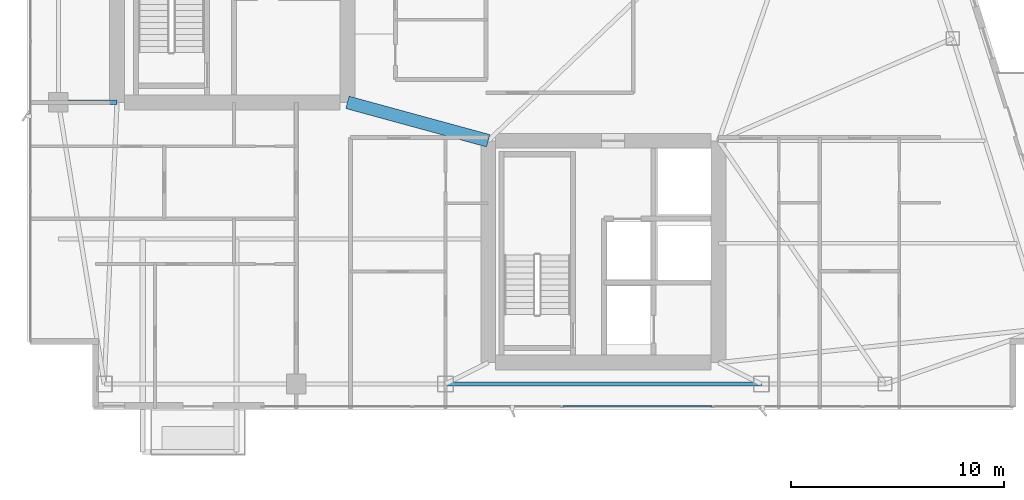
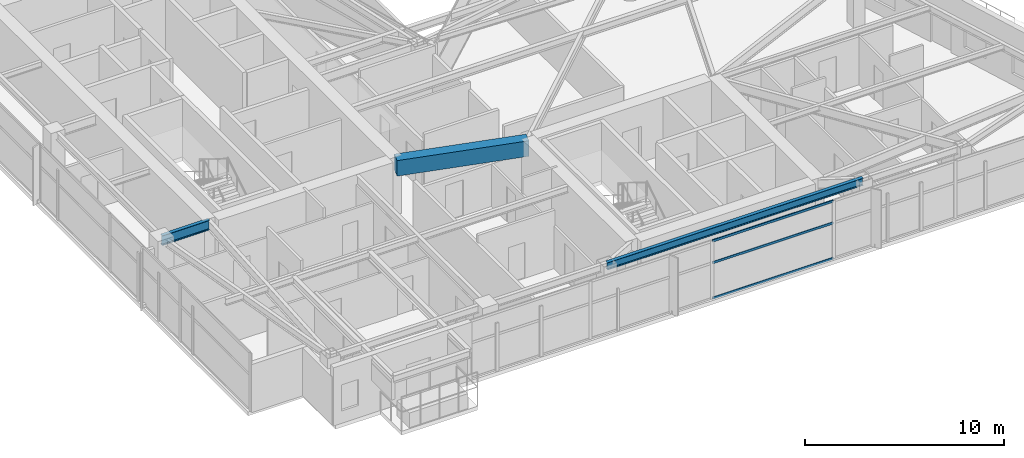
# One storey, part 7 of 27: 3 beams, 3 members, 1 element without a shape of its own.
"""IFC4 building model written with IfcOpenShell, lengths in metres."""

from ifc_helpers import new_model, si_unit, direction, frame, origin, origin_2d, place, context, subcontext, project, spatial, rectangle, hollow_rectangle, i_section, extrude, material, layer, layer_set, material_profile, profile_set, type_object, element, aggregate, save


model = new_model("IFC4")

# Units and contexts
model_context = context("Model", 3, precision=1e-05, world=origin(), true_north=direction((0.0, 1.0)))
body_context = subcontext(model_context, "Body", "Model", "MODEL_VIEW")
ifc_project = project(units=[si_unit("LENGTHUNIT", "METRE"), si_unit("AREAUNIT", "SQUARE_METRE"), si_unit("VOLUMEUNIT", "CUBIC_METRE"), si_unit("PLANEANGLEUNIT", "RADIAN"), si_unit("MASSUNIT", "GRAM", prefix="KILO")], contexts=[model_context])

# Site, building, storey
site_placement = place(None, origin())
site = spatial("IfcSite", under=ifc_project, at=site_placement, CompositionType="ELEMENT")
building_placement = place(site_placement, origin())
building = spatial("IfcBuilding", under=site, at=building_placement, Name="Calvorn Quay Hotel", CompositionType="ELEMENT")
storey_placement = place(building_placement, frame((0.0, 0.0, 226.89990234375)))
storey = spatial("IfcBuildingStorey", under=building, at=storey_placement, Name="L56", CompositionType="ELEMENT", Elevation=226.89990234375)

# Beams
ifc_material_1 = material(Name="Steel Q355B", Category="steel")
ifc_material_profile_1 = material_profile(ifc_material_1, i_section(OverallWidth=0.199951171875, OverallDepth=0.60009765625, WebThickness=0.010986328125, FlangeThickness=0.01708984375, FilletRadius=0.01806640625, at=origin_2d()), Name="HN600x200x11x17")
ifc_profile_set_1 = profile_set([ifc_material_profile_1], Name="Steel Q355B")
beam_type_1 = type_object("IfcBeamType", Name="BM-GIRD-TYP", PredefinedType="BEAM", material=ifc_profile_set_1)
beam_1_placement = place(storey_placement, frame((1.449951171875, 16.800048828125, 3.239990234375), z_axis=(1.0, 0.0, 0.0), x_axis=(0.0, 1.0, 0.0)))
element("IfcBeam", 1, at=beam_1_placement, inside=storey, type_object=beam_type_1, Name="Beam BG-L56-W1", PredefinedType="BEAM", context=body_context, shape_type="SweptSolid", body=[
    extrude(i_section(OverallWidth=0.199951171875, OverallDepth=0.60009765625, WebThickness=0.010986328125, FlangeThickness=0.01708984375, FilletRadius=0.01806640625, at=origin_2d()), origin(), (0.0, 0.0, 1.0), 2.75),
])
ifc_material_2 = material(Name="Concrete C45", Category="concrete")
ifc_material_profile_2 = material_profile(ifc_material_2, rectangle(XDim=0.60009765625, YDim=0.949951171875, at=origin_2d()), Name="RCB600x950")
ifc_profile_set_2 = profile_set([ifc_material_profile_2], Name="Concrete C45")
beam_type_2 = type_object("IfcBeamType", Name="BM-RC-LINK-600x950", PredefinedType="BEAM", material=ifc_profile_set_2)
beam_2_placement = place(storey_placement, frame((15.0, 16.800048828125, 3.065185546875), z_axis=(0.964762997686, -0.263120425462, 0.0), x_axis=(0.263120425462, 0.964762997686, 0.0)))
element("IfcBeam", 2, at=beam_2_placement, inside=storey, type_object=beam_type_2, Name="Beam BCL-L56-01", PredefinedType="BEAM", context=body_context, shape_type="SweptSolid", body=[
    extrude(rectangle(XDim=0.60009765625, YDim=0.949951171875, at=origin_2d()), origin(), (0.0, 0.0, 1.0), 6.841064453125),
])
ifc_material_3 = material(Name="Steel Q355B", Category="steel")
ifc_material_profile_3 = material_profile(ifc_material_3, i_section(OverallWidth=0.199951171875, OverallDepth=0.449951171875, WebThickness=0.009033203125, FlangeThickness=0.013916015625, FilletRadius=0.01611328125, at=origin_2d()), Name="HN450x200x9x14")
ifc_profile_set_3 = profile_set([ifc_material_profile_3], Name="Steel Q355B")
beam_type_3 = type_object("IfcBeamType", Name="BM-SPANDREL-Z3", PredefinedType="SPANDREL", material=ifc_profile_set_3)
beam_3_placement = place(storey_placement, frame((19.60009765625, 3.60009765625, 3.315185546875), z_axis=(1.0, 0.0, 0.0), x_axis=(0.0, 1.0, 0.0)))
element("IfcBeam", 3, at=beam_3_placement, inside=storey, type_object=beam_type_3, Name="Beam BSP-L56-S3", PredefinedType="SPANDREL", context=body_context, shape_type="SweptSolid", body=[
    extrude(i_section(OverallWidth=0.199951171875, OverallDepth=0.449951171875, WebThickness=0.009033203125, FlangeThickness=0.013916015625, FilletRadius=0.01611328125, at=origin_2d()), origin(), (0.0, 0.0, 1.0), 14.7998046875),
])

# Curtain wall, members
ifc_material_4 = material(Name="Champagne Bronze Anodised Aluminium and Low-E Glass", Category="aluminium")
ifc_layer = layer(ifc_material_4, 0.219970703125)
ifc_layer_set = layer_set([ifc_layer], Name="CW-SYS-Z3")
curtain_wall_type = type_object("IfcCurtainWallType", Name="CW-SYS-Z3", PredefinedType="NOTDEFINED", material=ifc_layer_set)
curtain_wall_placement = place(storey_placement, origin())
curtain_wall = element("IfcCurtainWall", 4, at=curtain_wall_placement, inside=storey, type_object=curtain_wall_type, Name="Tower South Waterfront Curtain Wall (L56)", PredefinedType="NOTDEFINED")
ifc_material_5 = material(Name="Champagne Bronze Anodised Aluminium 6063-T6", Category="aluminium")
ifc_material_profile_4 = material_profile(ifc_material_5, hollow_rectangle(XDim=0.05810546875, YDim=0.139892578125, WallThickness=0.003173828125, at=origin_2d()), Name="ALU-T140x58x3.2")
ifc_profile_set_4 = profile_set([ifc_material_profile_4], Name="Champagne Bronze Anodised Aluminium 6063-T6")
member_type = type_object("IfcMemberType", Name="CW-SYS-Z3-TRN", PredefinedType="USERDEFINED", material=ifc_profile_set_4)
member_1_placement = place(storey_placement, frame((25.110107421875, 2.550048828125, 0.030029296875), z_axis=(1.0, 0.0, 0.0), x_axis=(0.0, 1.0, 0.0)))
member_1 = element("IfcMember", 5, at=member_1_placement, type_object=member_type, Name="CW-L56-S transom 3.1", ObjectType="TRANSOM", PredefinedType="USERDEFINED", context=body_context, shape_type="SweptSolid", body=[
    extrude(hollow_rectangle(XDim=0.05810546875, YDim=0.139892578125, WallThickness=0.003173828125, at=origin_2d()), origin(), (0.0, 0.0, 1.0), 6.97998046875),
])
member_2_placement = place(storey_placement, frame((25.110107421875, 2.550048828125, 2.2001953125), z_axis=(1.0, 0.0, 0.0), x_axis=(0.0, 1.0, 0.0)))
member_2 = element("IfcMember", 6, at=member_2_placement, type_object=member_type, Name="CW-L56-S transom 3.2", ObjectType="TRANSOM", PredefinedType="USERDEFINED", context=body_context, shape_type="SweptSolid", body=[
    extrude(hollow_rectangle(XDim=0.05810546875, YDim=0.139892578125, WallThickness=0.003173828125, at=origin_2d()), origin(), (0.0, 0.0, 1.0), 6.97998046875),
])
member_3_placement = place(storey_placement, frame((25.110107421875, 2.550048828125, 3.530029296875), z_axis=(1.0, 0.0, 0.0), x_axis=(0.0, 1.0, 0.0)))
member_3 = element("IfcMember", 7, at=member_3_placement, type_object=member_type, Name="CW-L56-S transom 3.3", ObjectType="TRANSOM", PredefinedType="USERDEFINED", context=body_context, shape_type="SweptSolid", body=[
    extrude(hollow_rectangle(XDim=0.05810546875, YDim=0.139892578125, WallThickness=0.003173828125, at=origin_2d()), origin(), (0.0, 0.0, 1.0), 6.97998046875),
])
aggregate(curtain_wall, [member_1, member_2, member_3])

save(model, "model.ifc")
